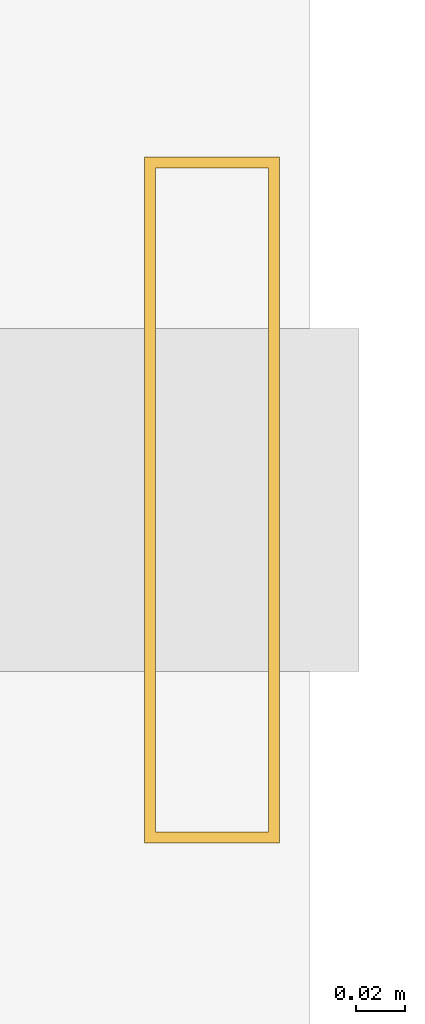
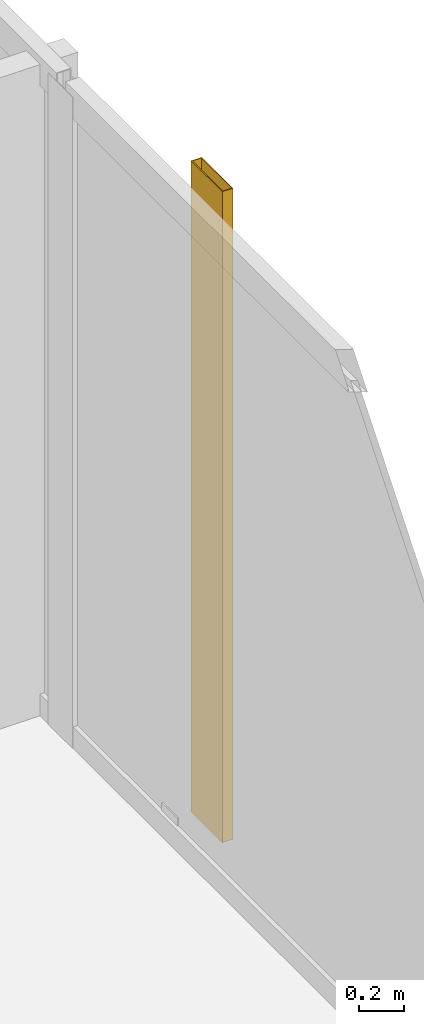
# One storey, part 23 of 23: 1 shading device.
"""IFC4 building model written with IfcOpenShell, lengths in metres."""

from ifc_helpers import new_model, si_unit, direction, frame, origin, origin_2d, place, context, subcontext, project, spatial, hollow_rectangle, extrude, material, material_profile, profile_set, type_object, element, save


model = new_model("IFC4")

# Units and contexts
model_context = context("Model", 3, precision=1e-05, world=origin(), true_north=direction((0.0, 1.0)))
body_context = subcontext(model_context, "Body", "Model", "MODEL_VIEW")
ifc_project = project(units=[si_unit("LENGTHUNIT", "METRE"), si_unit("AREAUNIT", "SQUARE_METRE"), si_unit("VOLUMEUNIT", "CUBIC_METRE"), si_unit("PLANEANGLEUNIT", "RADIAN"), si_unit("MASSUNIT", "GRAM", prefix="KILO")], contexts=[model_context])

# Site, building, storey
site_placement = place(None, origin())
site = spatial("IfcSite", under=ifc_project, at=site_placement, CompositionType="ELEMENT")
building_placement = place(site_placement, origin())
building = spatial("IfcBuilding", under=site, at=building_placement, Name="Kolvaren Waterfront Exchange", CompositionType="ELEMENT")
storey_placement = place(building_placement, frame((0.0, 0.0, 319.800048828125)))
storey = spatial("IfcBuildingStorey", under=building, at=storey_placement, Name="L82", CompositionType="ELEMENT", Elevation=319.800048828125)

# Shading device
ifc_material = material(Name="Anodised bronze aluminium 6063-T6", Category="aluminium")
ifc_material_profile = material_profile(ifc_material, hollow_rectangle(XDim=0.054931640625, YDim=0.280029296875, WallThickness=0.00439453125, at=origin_2d()), Name="BRZ-FIN-280x55x4.5")
ifc_profile_set = profile_set([ifc_material_profile], Name="Anodised bronze aluminium 6063-T6")
shading_device_type = type_object("IfcShadingDeviceType", Name="ARC-FIN-280", PredefinedType="USERDEFINED", material=ifc_profile_set)
shading_device_placement = place(storey_placement, frame((21.2021484375, 38.39990234375, 0.0), z_axis=(0.0, 0.0, 1.0), x_axis=(1.0, 0.0, 0.0)))
element("IfcShadingDevice", 1, at=shading_device_placement, inside=storey, type_object=shading_device_type, Name="L82 anodised bronze solar shading fin FIN-L82-E3", ObjectType="SOLAR FIN", PredefinedType="USERDEFINED", context=body_context, shape_type="SweptSolid", body=[
    extrude(hollow_rectangle(XDim=0.054931640625, YDim=0.280029296875, WallThickness=0.00439453125, at=origin_2d()), origin(), (0.0, 0.0, 1.0), 3.56005859375),
])

save(model, "model.ifc")
